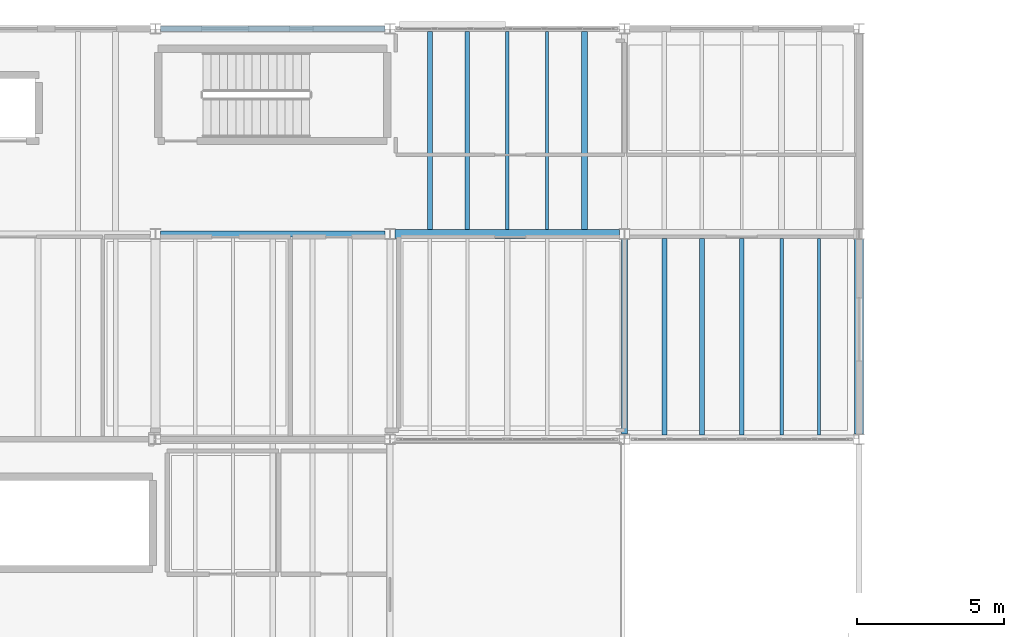
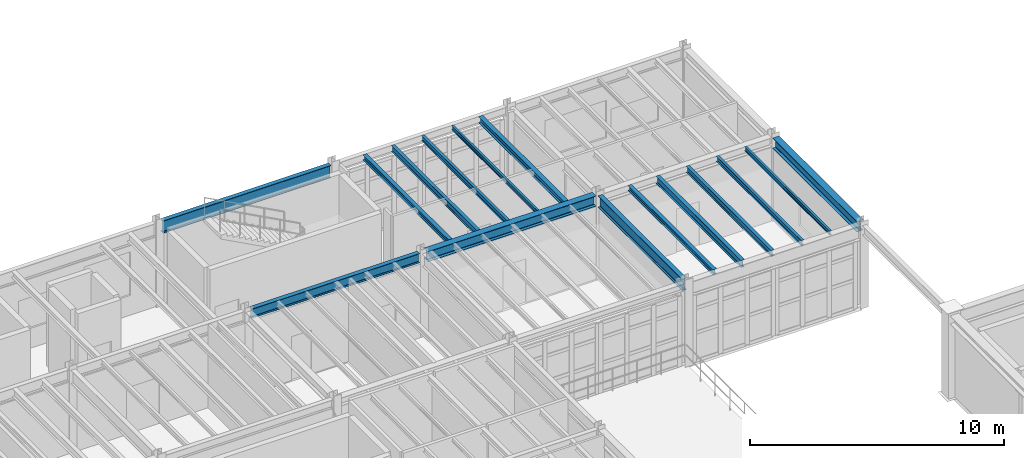
# One storey, part 24 of 78: 15 beams.
"""IFC4 building model written with IfcOpenShell, lengths in metres."""

from ifc_helpers import new_model, si_unit, direction, frame, origin, origin_2d, place, context, subcontext, project, spatial, i_section, extrude, material, material_profile, profile_set, type_object, element, save


model = new_model("IFC4")

# Units and contexts
model_context = context("Model", 3, precision=1e-05, world=origin(), true_north=direction((0.0, 1.0)))
body_context = subcontext(model_context, "Body", "Model", "MODEL_VIEW")
ifc_project = project(units=[si_unit("LENGTHUNIT", "METRE"), si_unit("AREAUNIT", "SQUARE_METRE"), si_unit("VOLUMEUNIT", "CUBIC_METRE"), si_unit("PLANEANGLEUNIT", "RADIAN"), si_unit("MASSUNIT", "GRAM", prefix="KILO"), si_unit("THERMODYNAMICTEMPERATUREUNIT", "KELVIN"), si_unit("POWERUNIT", "WATT")], contexts=[model_context])

# Site, building, storey
site_placement = place(None, origin())
site = spatial("IfcSite", under=ifc_project, at=site_placement, CompositionType="ELEMENT")
building_placement = place(site_placement, origin())
building = spatial("IfcBuilding", under=site, at=building_placement, Name="Zhenchuan Central Fire Station", CompositionType="ELEMENT")
storey_placement = place(building_placement, frame((0.0, 0.0, 5.85009765625)))
storey = spatial("IfcBuildingStorey", under=building, at=storey_placement, Name="L02", CompositionType="ELEMENT", Elevation=5.85009765625)

# Beams
ifc_material = material(Name="Steel Q355B", Category="steel")
ifc_material_profile_1 = material_profile(ifc_material, i_section(OverallWidth=0.300048828125, OverallDepth=0.5, WebThickness=0.010986328125, FlangeThickness=0.01806640625, FilletRadius=0.02197265625, at=origin_2d()), Name="HM 500x300")
ifc_profile_set_1 = profile_set([ifc_material_profile_1], Name="Steel Q355B")
beam_type_1 = type_object("IfcBeamType", Name="BM-HM500-INT", PredefinedType="BEAM", material=ifc_profile_set_1)
beam_1_placement = place(storey_placement, frame((40.175048828125, 49.5, 3.75), z_axis=(1.0, 0.0, 0.0), x_axis=(0.0, 1.0, 0.0)))
element("IfcBeam", 1, at=beam_1_placement, inside=storey, type_object=beam_type_1, Name="L03 Girder EW 0258", PredefinedType="BEAM", context=body_context, shape_type="SweptSolid", body=[
    extrude(i_section(OverallWidth=0.300048828125, OverallDepth=0.5, WebThickness=0.010986328125, FlangeThickness=0.01806640625, FilletRadius=0.02197265625, at=origin_2d()), origin(), (0.0, 0.0, 1.0), 7.64990234375),
])
beam_2_placement = place(storey_placement, frame((56.0, 42.675048828125, 3.75), z_axis=(0.0, 1.0, 0.0), x_axis=(-1.0, 0.0, 0.0)))
element("IfcBeam", 2, at=beam_2_placement, inside=storey, type_object=beam_type_1, Name="L03 Girder NS 0314", PredefinedType="BEAM", context=body_context, shape_type="SweptSolid", body=[
    extrude(i_section(OverallWidth=0.300048828125, OverallDepth=0.5, WebThickness=0.010986328125, FlangeThickness=0.01806640625, FilletRadius=0.02197265625, at=origin_2d()), origin(), (0.0, 0.0, 1.0), 6.64990234375),
])
ifc_material_profile_2 = material_profile(ifc_material, i_section(OverallWidth=0.199951171875, OverallDepth=0.449951171875, WebThickness=0.009033203125, FlangeThickness=0.013916015625, FilletRadius=0.01806640625, at=origin_2d()), Name="HN 450x200")
ifc_profile_set_2 = profile_set([ifc_material_profile_2], Name="Steel Q355B")
beam_type_2 = type_object("IfcBeamType", Name="BM-HN450", PredefinedType="BEAM", material=ifc_profile_set_2)
beam_3_placement = place(storey_placement, frame((32.175048828125, 49.5, 3.77490234375), z_axis=(1.0, 0.0, 0.0), x_axis=(0.0, 1.0, 0.0)))
element("IfcBeam", 3, at=beam_3_placement, inside=storey, type_object=beam_type_2, Name="L03 Girder EW 0257", PredefinedType="BEAM", context=body_context, shape_type="SweptSolid", body=[
    extrude(i_section(OverallWidth=0.199951171875, OverallDepth=0.449951171875, WebThickness=0.009033203125, FlangeThickness=0.013916015625, FilletRadius=0.01806640625, at=origin_2d()), origin(), (0.0, 0.0, 1.0), 7.64990234375),
])
ifc_material_profile_3 = material_profile(ifc_material, i_section(OverallWidth=0.199951171875, OverallDepth=0.550048828125, WebThickness=0.010009765625, FlangeThickness=0.01611328125, FilletRadius=0.02001953125, at=origin_2d()), Name="HN 550x200")
ifc_profile_set_3 = profile_set([ifc_material_profile_3], Name="Steel Q355B")
beam_type_3 = type_object("IfcBeamType", Name="BM-HN550-INT", PredefinedType="BEAM", material=ifc_profile_set_3)
beam_4_placement = place(storey_placement, frame((48.0, 42.675048828125, 3.724853515625), z_axis=(0.0, 1.0, 0.0), x_axis=(-1.0, 0.0, 0.0)))
element("IfcBeam", 4, at=beam_4_placement, inside=storey, type_object=beam_type_3, Name="L03 Girder NS 0311", PredefinedType="BEAM", context=body_context, shape_type="SweptSolid", body=[
    extrude(i_section(OverallWidth=0.199951171875, OverallDepth=0.550048828125, WebThickness=0.010009765625, FlangeThickness=0.01611328125, FilletRadius=0.02001953125, at=origin_2d()), origin(), (0.0, 0.0, 1.0), 6.64990234375),
])
ifc_material_profile_4 = material_profile(ifc_material, i_section(OverallWidth=0.199951171875, OverallDepth=0.60009765625, WebThickness=0.010986328125, FlangeThickness=0.01708984375, FilletRadius=0.02197265625, at=origin_2d()), Name="HN 600x200")
ifc_profile_set_4 = profile_set([ifc_material_profile_4], Name="Steel Q355B")
beam_type_4 = type_object("IfcBeamType", Name="BM-HN600", PredefinedType="BEAM", material=ifc_profile_set_4)
beam_5_placement = place(storey_placement, frame((32.175048828125, 56.5, 3.699951171875), z_axis=(1.0, 0.0, 0.0), x_axis=(0.0, 1.0, 0.0)))
element("IfcBeam", 5, at=beam_5_placement, inside=storey, type_object=beam_type_4, Name="L03 Girder EW 0268", PredefinedType="BEAM", context=body_context, shape_type="SweptSolid", body=[
    extrude(i_section(OverallWidth=0.199951171875, OverallDepth=0.60009765625, WebThickness=0.010986328125, FlangeThickness=0.01708984375, FilletRadius=0.02197265625, at=origin_2d()), origin(), (0.0, 0.0, 1.0), 7.64990234375),
])
ifc_material_profile_5 = material_profile(ifc_material, i_section(OverallWidth=0.175048828125, OverallDepth=0.243896484375, WebThickness=0.007080078125, FlangeThickness=0.010986328125, FilletRadius=0.012939453125, at=origin_2d()), Name="HM 244x175")
ifc_profile_set_5 = profile_set([ifc_material_profile_5], Name="Steel Q355B")
beam_type_5 = type_object("IfcBeamType", Name="JS-HM244", PredefinedType="JOIST", material=ifc_profile_set_5)
beam_6_placement = place(storey_placement, frame((49.360107421875, 42.64697265625, 3.8779296875), z_axis=(0.0, 1.0, 0.0), x_axis=(-1.0, 0.0, 0.0)))
element("IfcBeam", 6, at=beam_6_placement, inside=storey, type_object=beam_type_5, Name="L03 Secondary Joist 0522", PredefinedType="JOIST", context=body_context, shape_type="SweptSolid", body=[
    extrude(i_section(OverallWidth=0.175048828125, OverallDepth=0.243896484375, WebThickness=0.007080078125, FlangeThickness=0.010986328125, FilletRadius=0.012939453125, at=origin_2d()), origin(), (0.0, 0.0, 1.0), 6.7060546875),
])
beam_7_placement = place(storey_placement, frame((41.360107421875, 49.64697265625, 3.8779296875), z_axis=(0.0, 1.0, 0.0), x_axis=(-1.0, 0.0, 0.0)))
element("IfcBeam", 7, at=beam_7_placement, inside=storey, type_object=beam_type_5, Name="L03 Secondary Joist 0555", PredefinedType="JOIST", context=body_context, shape_type="SweptSolid", body=[
    extrude(i_section(OverallWidth=0.175048828125, OverallDepth=0.243896484375, WebThickness=0.007080078125, FlangeThickness=0.010986328125, FilletRadius=0.012939453125, at=origin_2d()), origin(), (0.0, 0.0, 1.0), 6.756103515625),
])
ifc_material_profile_6 = material_profile(ifc_material, i_section(OverallWidth=0.199951171875, OverallDepth=0.2939453125, WebThickness=0.008056640625, FlangeThickness=0.011962890625, FilletRadius=0.01611328125, at=origin_2d()), Name="HM 294x200")
ifc_profile_set_6 = profile_set([ifc_material_profile_6], Name="Steel Q355B")
beam_type_6 = type_object("IfcBeamType", Name="JS-HM294", PredefinedType="JOIST", material=ifc_profile_set_6)
beam_8_placement = place(storey_placement, frame((46.639892578125, 49.64697265625, 3.852783203125), z_axis=(0.0, 1.0, 0.0), x_axis=(-1.0, 0.0, 0.0)))
element("IfcBeam", 8, at=beam_8_placement, inside=storey, type_object=beam_type_6, Name="L03 Secondary Joist 0559", PredefinedType="JOIST", context=body_context, shape_type="SweptSolid", body=[
    extrude(i_section(OverallWidth=0.199951171875, OverallDepth=0.2939453125, WebThickness=0.008056640625, FlangeThickness=0.011962890625, FilletRadius=0.01611328125, at=origin_2d()), origin(), (0.0, 0.0, 1.0), 6.756103515625),
])
ifc_material_profile_7 = material_profile(ifc_material, i_section(OverallWidth=0.10009765625, OverallDepth=0.199951171875, WebThickness=0.005615234375, FlangeThickness=0.008056640625, FilletRadius=0.010986328125, at=origin_2d()), Name="HN 200x100")
ifc_profile_set_7 = profile_set([ifc_material_profile_7], Name="Steel Q355B")
beam_type_7 = type_object("IfcBeamType", Name="JS-HN200", PredefinedType="JOIST", material=ifc_profile_set_7)
beam_9_placement = place(storey_placement, frame((54.639892578125, 42.64697265625, 3.89990234375), z_axis=(0.0, 1.0, 0.0), x_axis=(-1.0, 0.0, 0.0)))
element("IfcBeam", 9, at=beam_9_placement, inside=storey, type_object=beam_type_7, Name="L03 Secondary Joist 0526", PredefinedType="JOIST", context=body_context, shape_type="SweptSolid", body=[
    extrude(i_section(OverallWidth=0.10009765625, OverallDepth=0.199951171875, WebThickness=0.005615234375, FlangeThickness=0.008056640625, FilletRadius=0.010986328125, at=origin_2d()), origin(), (0.0, 0.0, 1.0), 6.7060546875),
])
beam_10_placement = place(storey_placement, frame((45.360107421875, 49.64697265625, 3.89990234375), z_axis=(0.0, 1.0, 0.0), x_axis=(-1.0, 0.0, 0.0)))
element("IfcBeam", 10, at=beam_10_placement, inside=storey, type_object=beam_type_7, Name="L03 Secondary Joist 0558", PredefinedType="JOIST", context=body_context, shape_type="SweptSolid", body=[
    extrude(i_section(OverallWidth=0.10009765625, OverallDepth=0.199951171875, WebThickness=0.005615234375, FlangeThickness=0.008056640625, FilletRadius=0.010986328125, at=origin_2d()), origin(), (0.0, 0.0, 1.0), 6.756103515625),
])
ifc_material_profile_8 = material_profile(ifc_material, i_section(OverallWidth=0.125, OverallDepth=0.25, WebThickness=0.006103515625, FlangeThickness=0.009033203125, FilletRadius=0.011962890625, at=origin_2d()), Name="HN 250x125")
ifc_profile_set_8 = profile_set([ifc_material_profile_8], Name="Steel Q355B")
beam_type_8 = type_object("IfcBeamType", Name="JS-HN250", PredefinedType="JOIST", material=ifc_profile_set_8)
beam_11_placement = place(storey_placement, frame((53.360107421875, 42.64697265625, 3.875), z_axis=(0.0, 1.0, 0.0), x_axis=(-1.0, 0.0, 0.0)))
element("IfcBeam", 11, at=beam_11_placement, inside=storey, type_object=beam_type_8, Name="L03 Secondary Joist 0525", PredefinedType="JOIST", context=body_context, shape_type="SweptSolid", body=[
    extrude(i_section(OverallWidth=0.125, OverallDepth=0.25, WebThickness=0.006103515625, FlangeThickness=0.009033203125, FilletRadius=0.011962890625, at=origin_2d()), origin(), (0.0, 0.0, 1.0), 6.7060546875),
])
beam_12_placement = place(storey_placement, frame((44.0, 49.64697265625, 3.875), z_axis=(0.0, 1.0, 0.0), x_axis=(-1.0, 0.0, 0.0)))
element("IfcBeam", 12, at=beam_12_placement, inside=storey, type_object=beam_type_8, Name="L03 Secondary Joist 0557", PredefinedType="JOIST", context=body_context, shape_type="SweptSolid", body=[
    extrude(i_section(OverallWidth=0.125, OverallDepth=0.25, WebThickness=0.006103515625, FlangeThickness=0.009033203125, FilletRadius=0.011962890625, at=origin_2d()), origin(), (0.0, 0.0, 1.0), 6.756103515625),
])
ifc_material_profile_9 = material_profile(ifc_material, i_section(OverallWidth=0.14990234375, OverallDepth=0.300048828125, WebThickness=0.006591796875, FlangeThickness=0.009033203125, FilletRadius=0.012939453125, at=origin_2d()), Name="HN 300x150")
ifc_profile_set_9 = profile_set([ifc_material_profile_9], Name="Steel Q355B")
beam_type_9 = type_object("IfcBeamType", Name="JS-HN300", PredefinedType="JOIST", material=ifc_profile_set_9)
beam_13_placement = place(storey_placement, frame((52.0, 42.64697265625, 3.849853515625), z_axis=(0.0, 1.0, 0.0), x_axis=(-1.0, 0.0, 0.0)))
element("IfcBeam", 13, at=beam_13_placement, inside=storey, type_object=beam_type_9, Name="L03 Secondary Joist 0524", PredefinedType="JOIST", context=body_context, shape_type="SweptSolid", body=[
    extrude(i_section(OverallWidth=0.14990234375, OverallDepth=0.300048828125, WebThickness=0.006591796875, FlangeThickness=0.009033203125, FilletRadius=0.012939453125, at=origin_2d()), origin(), (0.0, 0.0, 1.0), 6.7060546875),
])
beam_14_placement = place(storey_placement, frame((42.639892578125, 49.64697265625, 3.849853515625), z_axis=(0.0, 1.0, 0.0), x_axis=(-1.0, 0.0, 0.0)))
element("IfcBeam", 14, at=beam_14_placement, inside=storey, type_object=beam_type_9, Name="L03 Secondary Joist 0556", PredefinedType="JOIST", context=body_context, shape_type="SweptSolid", body=[
    extrude(i_section(OverallWidth=0.14990234375, OverallDepth=0.300048828125, WebThickness=0.006591796875, FlangeThickness=0.009033203125, FilletRadius=0.012939453125, at=origin_2d()), origin(), (0.0, 0.0, 1.0), 6.756103515625),
])
ifc_material_profile_10 = material_profile(ifc_material, i_section(OverallWidth=0.175048828125, OverallDepth=0.35009765625, WebThickness=0.007080078125, FlangeThickness=0.010986328125, FilletRadius=0.013916015625, at=origin_2d()), Name="HN 350x175")
ifc_profile_set_10 = profile_set([ifc_material_profile_10], Name="Steel Q355B")
beam_type_10 = type_object("IfcBeamType", Name="JS-HN350", PredefinedType="JOIST", material=ifc_profile_set_10)
beam_15_placement = place(storey_placement, frame((50.639892578125, 42.64697265625, 3.824951171875), z_axis=(0.0, 1.0, 0.0), x_axis=(-1.0, 0.0, 0.0)))
element("IfcBeam", 15, at=beam_15_placement, inside=storey, type_object=beam_type_10, Name="L03 Secondary Joist 0523", PredefinedType="JOIST", context=body_context, shape_type="SweptSolid", body=[
    extrude(i_section(OverallWidth=0.175048828125, OverallDepth=0.35009765625, WebThickness=0.007080078125, FlangeThickness=0.010986328125, FilletRadius=0.013916015625, at=origin_2d()), origin(), (0.0, 0.0, 1.0), 6.7060546875),
])

save(model, "model.ifc")
